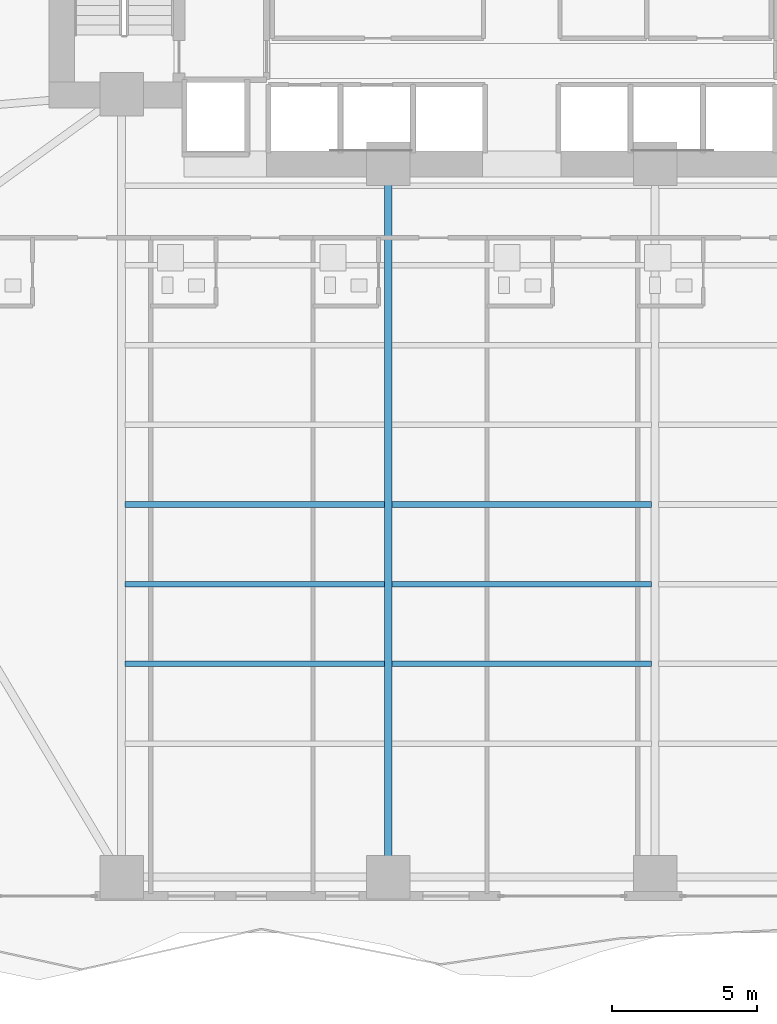
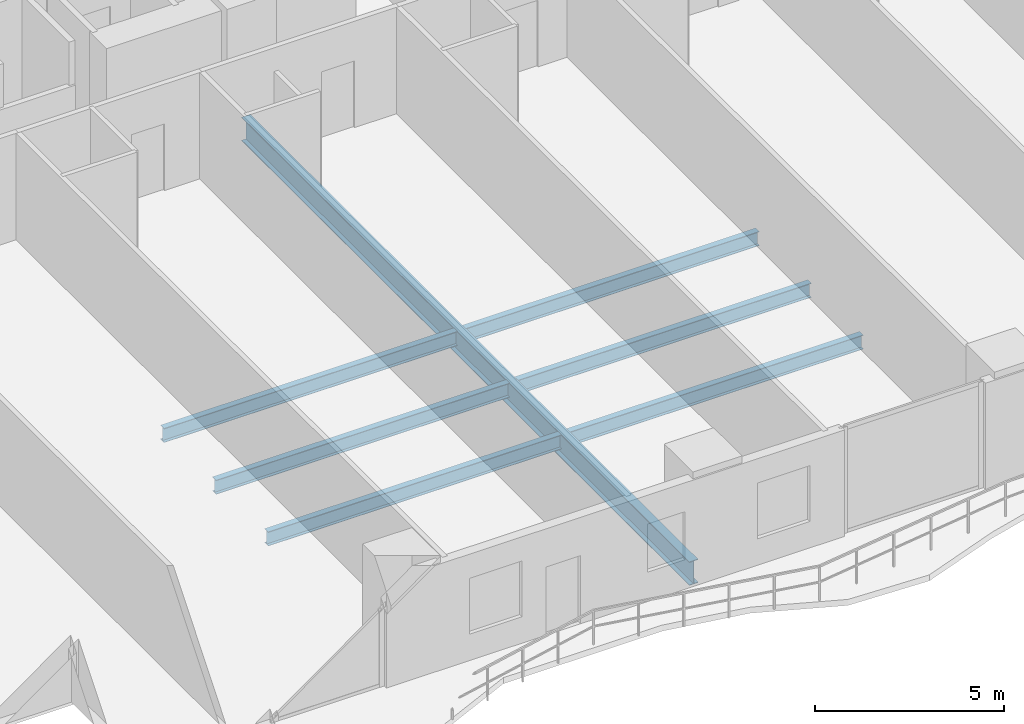
# One storey, part 5 of 28: 7 beams.
"""IFC4 building model written with IfcOpenShell, lengths in metres."""

from ifc_helpers import new_model, si_unit, direction, frame, origin, origin_2d, place, context, subcontext, project, spatial, i_section, extrude, material, material_profile, profile_set, type_object, element, save


model = new_model("IFC4")

# Units and contexts
model_context = context("Model", 3, precision=1e-05, world=origin(), true_north=direction((0.0, 1.0)))
body_context = subcontext(model_context, "Body", "Model", "MODEL_VIEW")
ifc_project = project(units=[si_unit("LENGTHUNIT", "METRE"), si_unit("AREAUNIT", "SQUARE_METRE"), si_unit("VOLUMEUNIT", "CUBIC_METRE"), si_unit("PLANEANGLEUNIT", "RADIAN"), si_unit("MASSUNIT", "GRAM", prefix="KILO")], contexts=[model_context])

# Site, building, storey
site_placement = place(None, origin())
site = spatial("IfcSite", under=ifc_project, at=site_placement, CompositionType="ELEMENT")
building_placement = place(site_placement, origin())
building = spatial("IfcBuilding", under=site, at=building_placement, Name="Zuhayl Quay Hotel", CompositionType="ELEMENT")
storey_placement = place(building_placement, frame((0.0, 0.0, 31.25)))
storey = spatial("IfcBuildingStorey", under=building, at=storey_placement, Name="L06", CompositionType="ELEMENT", Elevation=31.25)

# Beams
ifc_material = material(Name="Steel ASTM A992 Grade 50", Category="steel")
ifc_material_profile_1 = material_profile(ifc_material, i_section(OverallWidth=0.26708984375, OverallDepth=0.761962890625, WebThickness=0.014404296875, FlangeThickness=0.021484375, at=origin_2d()), Name="W30X116")
ifc_profile_set_1 = profile_set([ifc_material_profile_1], Name="Steel ASTM A992 Grade 50")
beam_type_1 = type_object("IfcBeamType", Name="BM_B1_W30X116", PredefinedType="BEAM", material=ifc_profile_set_1)
beam_1_placement = place(storey_placement, frame((-4.60009765625, -21.949951171875, -0.60107421875), z_axis=(0.0, 1.0, 0.0), x_axis=(-1.0, 0.0, 0.0)))
element("IfcBeam", 1, at=beam_1_placement, inside=storey, type_object=beam_type_1, Name="L06 Floor Beam FG_S_L06_2", PredefinedType="BEAM", context=body_context, shape_type="SweptSolid", body=[
    extrude(i_section(OverallWidth=0.26708984375, OverallDepth=0.761962890625, WebThickness=0.014404296875, FlangeThickness=0.021484375, at=origin_2d()), origin(), (0.0, 0.0, 1.0), 23.64990234375),
])
ifc_material_profile_2 = material_profile(ifc_material, i_section(OverallWidth=0.18994140625, OverallDepth=0.45703125, WebThickness=0.009033203125, FlangeThickness=0.014404296875, at=origin_2d()), Name="W18X50")
ifc_profile_set_2 = profile_set([ifc_material_profile_2], Name="Steel ASTM A992 Grade 50")
beam_type_2 = type_object("IfcBeamType", Name="BM_J2_W18X50", PredefinedType="JOIST", material=ifc_profile_set_2)
beam_2_placement = place(storey_placement, frame((-13.674560546875, -15.10009765625, -0.448486328125), z_axis=(1.0, 0.0, 0.0), x_axis=(0.0, 1.0, 0.0)))
element("IfcBeam", 2, at=beam_2_placement, inside=storey, type_object=beam_type_2, Name="L06 Floor Beam FJ_L06_4_1", PredefinedType="JOIST", context=body_context, shape_type="SweptSolid", body=[
    extrude(i_section(OverallWidth=0.18994140625, OverallDepth=0.45703125, WebThickness=0.009033203125, FlangeThickness=0.014404296875, at=origin_2d()), origin(), (0.0, 0.0, 1.0), 8.948974609375),
])
beam_3_placement = place(storey_placement, frame((-4.474609375, -15.10009765625, -0.448486328125), z_axis=(1.0, 0.0, 0.0), x_axis=(0.0, 1.0, 0.0)))
element("IfcBeam", 3, at=beam_3_placement, inside=storey, type_object=beam_type_2, Name="L06 Floor Beam FJ_L06_4_2", PredefinedType="JOIST", context=body_context, shape_type="SweptSolid", body=[
    extrude(i_section(OverallWidth=0.18994140625, OverallDepth=0.45703125, WebThickness=0.009033203125, FlangeThickness=0.014404296875, at=origin_2d()), origin(), (0.0, 0.0, 1.0), 8.94921875),
])
beam_4_placement = place(storey_placement, frame((-13.674560546875, -12.35009765625, -0.448486328125), z_axis=(1.0, 0.0, 0.0), x_axis=(0.0, 1.0, 0.0)))
element("IfcBeam", 4, at=beam_4_placement, inside=storey, type_object=beam_type_2, Name="L06 Floor Beam FJ_L06_5_1", PredefinedType="JOIST", context=body_context, shape_type="SweptSolid", body=[
    extrude(i_section(OverallWidth=0.18994140625, OverallDepth=0.45703125, WebThickness=0.009033203125, FlangeThickness=0.014404296875, at=origin_2d()), origin(), (0.0, 0.0, 1.0), 8.948974609375),
])
beam_5_placement = place(storey_placement, frame((-4.474609375, -12.35009765625, -0.448486328125), z_axis=(1.0, 0.0, 0.0), x_axis=(0.0, 1.0, 0.0)))
element("IfcBeam", 5, at=beam_5_placement, inside=storey, type_object=beam_type_2, Name="L06 Floor Beam FJ_L06_5_2", PredefinedType="JOIST", context=body_context, shape_type="SweptSolid", body=[
    extrude(i_section(OverallWidth=0.18994140625, OverallDepth=0.45703125, WebThickness=0.009033203125, FlangeThickness=0.014404296875, at=origin_2d()), origin(), (0.0, 0.0, 1.0), 8.94921875),
])
beam_6_placement = place(storey_placement, frame((-13.674560546875, -9.60009765625, -0.448486328125), z_axis=(1.0, 0.0, 0.0), x_axis=(0.0, 1.0, 0.0)))
element("IfcBeam", 6, at=beam_6_placement, inside=storey, type_object=beam_type_2, Name="L06 Floor Beam FJ_L06_6_1", PredefinedType="JOIST", context=body_context, shape_type="SweptSolid", body=[
    extrude(i_section(OverallWidth=0.18994140625, OverallDepth=0.45703125, WebThickness=0.009033203125, FlangeThickness=0.014404296875, at=origin_2d()), origin(), (0.0, 0.0, 1.0), 8.948974609375),
])
beam_7_placement = place(storey_placement, frame((-4.474609375, -9.60009765625, -0.448486328125), z_axis=(1.0, 0.0, 0.0), x_axis=(0.0, 1.0, 0.0)))
element("IfcBeam", 7, at=beam_7_placement, inside=storey, type_object=beam_type_2, Name="L06 Floor Beam FJ_L06_6_2", PredefinedType="JOIST", context=body_context, shape_type="SweptSolid", body=[
    extrude(i_section(OverallWidth=0.18994140625, OverallDepth=0.45703125, WebThickness=0.009033203125, FlangeThickness=0.014404296875, at=origin_2d()), origin(), (0.0, 0.0, 1.0), 8.94921875),
])

save(model, "model.ifc")
